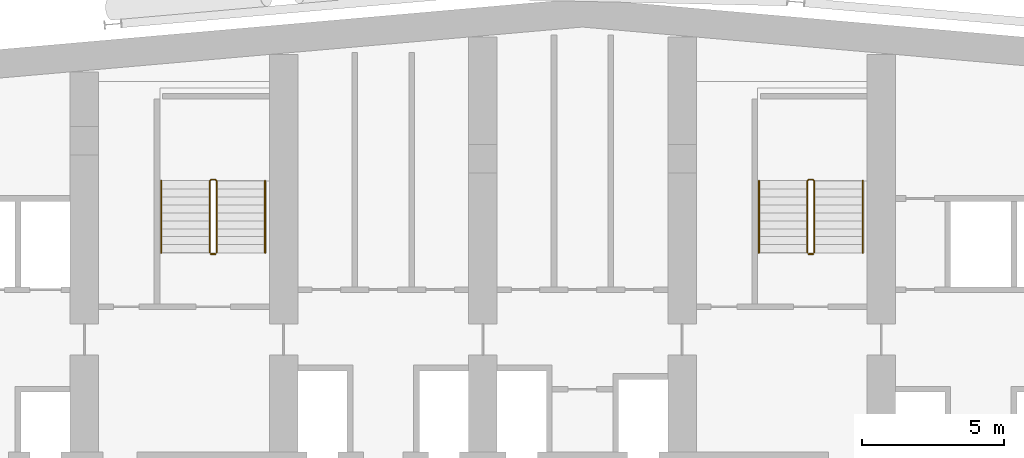
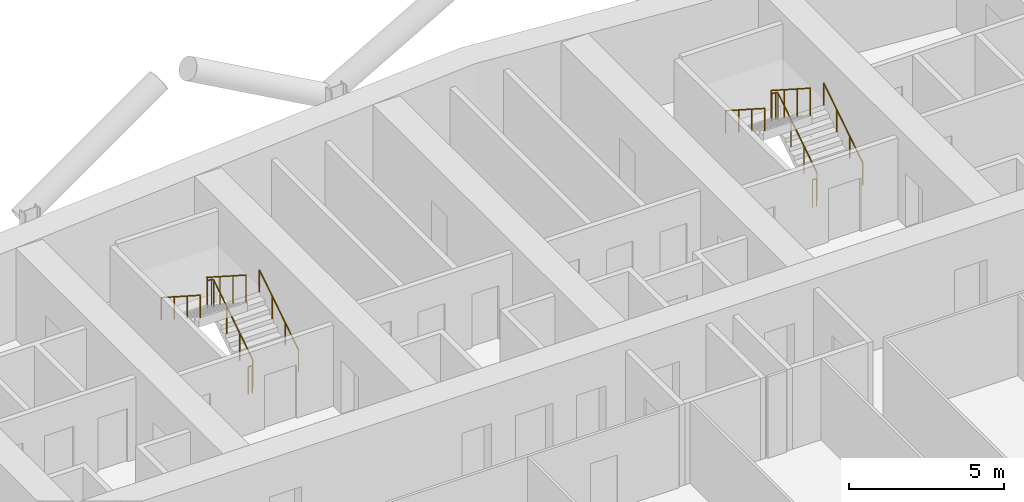
# One storey, part 24 of 25: 8 railings.
"""IFC4 building model written with IfcOpenShell, lengths in metres."""

from ifc_helpers import new_model, si_unit, direction, frame, origin, origin_2d, place, context, subcontext, project, spatial, circle, extrude, material, type_object, element, save


model = new_model("IFC4")

# Units and contexts
model_context = context("Model", 3, precision=1e-05, world=origin(), true_north=direction((0.0, 1.0)))
body_context = subcontext(model_context, "Body", "Model", "MODEL_VIEW")
ifc_project = project(units=[si_unit("LENGTHUNIT", "METRE"), si_unit("AREAUNIT", "SQUARE_METRE"), si_unit("VOLUMEUNIT", "CUBIC_METRE"), si_unit("PLANEANGLEUNIT", "RADIAN"), si_unit("MASSUNIT", "GRAM", prefix="KILO")], contexts=[model_context])

# Site, building, storey
site_placement = place(None, origin())
site = spatial("IfcSite", under=ifc_project, at=site_placement, CompositionType="ELEMENT")
building_placement = place(site_placement, origin())
building = spatial("IfcBuilding", under=site, at=building_placement, Name="Wharfspan Tower", CompositionType="ELEMENT")
storey_placement = place(building_placement, frame((0.0, 0.0, 129.100098)))
storey = spatial("IfcBuildingStorey", under=building, at=storey_placement, Name="L30", CompositionType="ELEMENT", Elevation=129.100098)

# Railings
ifc_material = material(Name="Steel S355J2", Category="steel")
railing_type_1 = type_object("IfcRailingType", Name="Stair guard 1100", PredefinedType="GUARDRAIL", material=ifc_material)
railing_1_placement = place(storey_placement, frame((27.649902, 42.0, 0.179932)))
element("IfcRailing", 1, at=railing_1_placement, inside=storey, type_object=railing_type_1, Name="L30 ST1 stair guard 1", PredefinedType="GUARDRAIL", context=body_context, shape_type="SweptSolid", body=[
    extrude(circle(Radius=0.023926, at=origin_2d()), frame((0.0, 0.0, 1.076172), z_axis=(0.0, 0.8412, 0.540725), x_axis=(-1.0, 0.0, 0.0)), (0.0, 0.0, 1.0), 2.99585),
    extrude(circle(Radius=0.023926, at=origin_2d()), frame((0.0, 2.52002, 2.695801), z_axis=(-0.705376, 0.708834, 0.0), x_axis=(-0.708834, -0.705376, 0.0)), (0.0, 0.0, 1.0), 0.070557),
    extrude(circle(Radius=0.023926, at=origin_2d()), frame((-0.049805, 2.570068, 2.695801), z_axis=(-1.0, 0.0, 0.0), x_axis=(0.0, -1.0, 0.0)), (0.0, 0.0, 1.0), 0.150146),
    extrude(circle(Radius=0.023926, at=origin_2d()), frame((-0.199951, 2.570068, 2.695801), z_axis=(-0.258544, -0.258544, 0.930758), x_axis=(0.707107, -0.707107, 0.0)), (0.0, 0.0, 1.0), 0.193604),
    extrude(circle(Radius=0.023926, at=origin_2d()), frame((-0.25, 2.52002, 2.875977), z_axis=(0.0, -0.8412, 0.540725), x_axis=(1.0, 0.0, 0.0)), (0.0, 0.0, 1.0), 2.99585),
    extrude(circle(Radius=0.020996, at=origin_2d()), origin(), (0.0, 0.0, 1.0), 1.052002),
    extrude(circle(Radius=0.020996, at=origin_2d()), frame((0.0, 0.840088, 0.540039)), (0.0, 0.0, 1.0), 1.052002),
    extrude(circle(Radius=0.020996, at=origin_2d()), frame((0.0, 1.679932, 1.079834)), (0.0, 0.0, 1.0), 1.052002),
    extrude(circle(Radius=0.020996, at=origin_2d()), frame((0.0, 2.52002, 1.619873)), (0.0, 0.0, 1.0), 1.052002),
    extrude(circle(Radius=0.020996, at=origin_2d()), frame((-0.049805, 2.570068, 1.619873)), (0.0, 0.0, 1.0), 1.052002),
    extrude(circle(Radius=0.020996, at=origin_2d()), frame((-0.199951, 2.570068, 1.619873)), (0.0, 0.0, 1.0), 1.052002),
    extrude(circle(Radius=0.020996, at=origin_2d()), frame((-0.25, 2.52002, 1.800049)), (0.0, 0.0, 1.0), 1.052002),
    extrude(circle(Radius=0.020996, at=origin_2d()), frame((-0.25, 1.679932, 2.340088)), (0.0, 0.0, 1.0), 1.052002),
    extrude(circle(Radius=0.020996, at=origin_2d()), frame((-0.25, 0.840088, 2.879883)), (0.0, 0.0, 1.0), 1.052002),
    extrude(circle(Radius=0.020996, at=origin_2d()), frame((-0.25, 0.0, 3.419922)), (0.0, 0.0, 1.0), 1.052002),
])
railing_2_placement = place(storey_placement, frame((27.600098, 41.949951, 0.0)))
element("IfcRailing", 2, at=railing_2_placement, inside=storey, type_object=railing_type_1, Name="L30 ST1 stair guard 2", PredefinedType="GUARDRAIL", context=body_context, shape_type="SweptSolid", body=[
    extrude(circle(Radius=0.023926, at=origin_2d()), frame((0.0, 0.0, 1.076172), z_axis=(-1.0, 0.0, 0.0), x_axis=(0.0, -1.0, 0.0)), (0.0, 0.0, 1.0), 0.150146),
    extrude(circle(Radius=0.020996, at=origin_2d()), origin(), (0.0, 0.0, 1.0), 1.052002),
    extrude(circle(Radius=0.020996, at=origin_2d()), frame((-0.150146, 0.0, 0.0)), (0.0, 0.0, 1.0), 1.052002),
])
railing_3_placement = place(storey_placement, frame((48.649902, 42.0, 0.179932)))
element("IfcRailing", 3, at=railing_3_placement, inside=storey, type_object=railing_type_1, Name="L30 ST2 stair guard 1", PredefinedType="GUARDRAIL", context=body_context, shape_type="SweptSolid", body=[
    extrude(circle(Radius=0.023926, at=origin_2d()), frame((0.0, 0.0, 1.076172), z_axis=(0.0, 0.8412, 0.540725), x_axis=(-1.0, 0.0, 0.0)), (0.0, 0.0, 1.0), 2.99585),
    extrude(circle(Radius=0.023926, at=origin_2d()), frame((0.0, 2.52002, 2.695801), z_axis=(-0.705376, 0.708834, 0.0), x_axis=(-0.708834, -0.705376, 0.0)), (0.0, 0.0, 1.0), 0.070557),
    extrude(circle(Radius=0.023926, at=origin_2d()), frame((-0.049805, 2.570068, 2.695801), z_axis=(-1.0, 0.0, 0.0), x_axis=(0.0, -1.0, 0.0)), (0.0, 0.0, 1.0), 0.150146),
    extrude(circle(Radius=0.023926, at=origin_2d()), frame((-0.199951, 2.570068, 2.695801), z_axis=(-0.258544, -0.258544, 0.930758), x_axis=(0.707107, -0.707107, 0.0)), (0.0, 0.0, 1.0), 0.193604),
    extrude(circle(Radius=0.023926, at=origin_2d()), frame((-0.25, 2.52002, 2.875977), z_axis=(0.0, -0.8412, 0.540725), x_axis=(1.0, 0.0, 0.0)), (0.0, 0.0, 1.0), 2.99585),
    extrude(circle(Radius=0.020996, at=origin_2d()), origin(), (0.0, 0.0, 1.0), 1.052002),
    extrude(circle(Radius=0.020996, at=origin_2d()), frame((0.0, 0.840088, 0.540039)), (0.0, 0.0, 1.0), 1.052002),
    extrude(circle(Radius=0.020996, at=origin_2d()), frame((0.0, 1.679932, 1.079834)), (0.0, 0.0, 1.0), 1.052002),
    extrude(circle(Radius=0.020996, at=origin_2d()), frame((0.0, 2.52002, 1.619873)), (0.0, 0.0, 1.0), 1.052002),
    extrude(circle(Radius=0.020996, at=origin_2d()), frame((-0.049805, 2.570068, 1.619873)), (0.0, 0.0, 1.0), 1.052002),
    extrude(circle(Radius=0.020996, at=origin_2d()), frame((-0.199951, 2.570068, 1.619873)), (0.0, 0.0, 1.0), 1.052002),
    extrude(circle(Radius=0.020996, at=origin_2d()), frame((-0.25, 2.52002, 1.800049)), (0.0, 0.0, 1.0), 1.052002),
    extrude(circle(Radius=0.020996, at=origin_2d()), frame((-0.25, 1.679932, 2.340088)), (0.0, 0.0, 1.0), 1.052002),
    extrude(circle(Radius=0.020996, at=origin_2d()), frame((-0.25, 0.840088, 2.879883)), (0.0, 0.0, 1.0), 1.052002),
    extrude(circle(Radius=0.020996, at=origin_2d()), frame((-0.25, 0.0, 3.419922)), (0.0, 0.0, 1.0), 1.052002),
])
railing_4_placement = place(storey_placement, frame((48.600098, 41.949951, 0.0)))
element("IfcRailing", 4, at=railing_4_placement, inside=storey, type_object=railing_type_1, Name="L30 ST2 stair guard 2", PredefinedType="GUARDRAIL", context=body_context, shape_type="SweptSolid", body=[
    extrude(circle(Radius=0.023926, at=origin_2d()), frame((0.0, 0.0, 1.076172), z_axis=(-1.0, 0.0, 0.0), x_axis=(0.0, -1.0, 0.0)), (0.0, 0.0, 1.0), 0.150146),
    extrude(circle(Radius=0.020996, at=origin_2d()), origin(), (0.0, 0.0, 1.0), 1.052002),
    extrude(circle(Radius=0.020996, at=origin_2d()), frame((-0.150146, 0.0, 0.0)), (0.0, 0.0, 1.0), 1.052002),
])
railing_type_2 = type_object("IfcRailingType", Name="Stair handrail 900", PredefinedType="HANDRAIL", material=ifc_material)
railing_5_placement = place(storey_placement, frame((29.350098, 42.0, 0.179932)))
element("IfcRailing", 5, at=railing_5_placement, inside=storey, type_object=railing_type_2, Name="L30 ST1 stair handrail 1", PredefinedType="HANDRAIL", context=body_context, shape_type="SweptSolid", body=[
    extrude(circle(Radius=0.023926, at=origin_2d()), frame((0.0, 0.0, 0.875977), z_axis=(0.0, 0.8412, 0.540725), x_axis=(-1.0, 0.0, 0.0)), (0.0, 0.0, 1.0), 2.99585),
    extrude(circle(Radius=0.020996, at=origin_2d()), origin(), (0.0, 0.0, 1.0), 0.851807),
    extrude(circle(Radius=0.020996, at=origin_2d()), frame((0.0, 0.840088, 0.540039)), (0.0, 0.0, 1.0), 0.851807),
    extrude(circle(Radius=0.020996, at=origin_2d()), frame((0.0, 1.679932, 1.079834)), (0.0, 0.0, 1.0), 0.851807),
    extrude(circle(Radius=0.020996, at=origin_2d()), frame((0.0, 2.52002, 1.619873)), (0.0, 0.0, 1.0), 0.851807),
])
railing_6_placement = place(storey_placement, frame((25.699951, 44.52002, 1.97998)))
element("IfcRailing", 6, at=railing_6_placement, inside=storey, type_object=railing_type_2, Name="L30 ST1 stair handrail 2", PredefinedType="HANDRAIL", context=body_context, shape_type="SweptSolid", body=[
    extrude(circle(Radius=0.023926, at=origin_2d()), frame((0.0, 0.0, 0.875977), z_axis=(0.0, -0.8412, 0.540725), x_axis=(1.0, 0.0, 0.0)), (0.0, 0.0, 1.0), 2.99585),
    extrude(circle(Radius=0.020996, at=origin_2d()), origin(), (0.0, 0.0, 1.0), 0.851807),
    extrude(circle(Radius=0.020996, at=origin_2d()), frame((0.0, -0.840088, 0.540039)), (0.0, 0.0, 1.0), 0.851807),
    extrude(circle(Radius=0.020996, at=origin_2d()), frame((0.0, -1.679932, 1.079834)), (0.0, 0.0, 1.0), 0.851807),
    extrude(circle(Radius=0.020996, at=origin_2d()), frame((0.0, -2.52002, 1.619873)), (0.0, 0.0, 1.0), 0.851807),
])
railing_7_placement = place(storey_placement, frame((50.350098, 42.0, 0.179932)))
element("IfcRailing", 7, at=railing_7_placement, inside=storey, type_object=railing_type_2, Name="L30 ST2 stair handrail 1", PredefinedType="HANDRAIL", context=body_context, shape_type="SweptSolid", body=[
    extrude(circle(Radius=0.023926, at=origin_2d()), frame((0.0, 0.0, 0.875977), z_axis=(0.0, 0.8412, 0.540725), x_axis=(-1.0, 0.0, 0.0)), (0.0, 0.0, 1.0), 2.99585),
    extrude(circle(Radius=0.020996, at=origin_2d()), origin(), (0.0, 0.0, 1.0), 0.851807),
    extrude(circle(Radius=0.020996, at=origin_2d()), frame((0.0, 0.840088, 0.540039)), (0.0, 0.0, 1.0), 0.851807),
    extrude(circle(Radius=0.020996, at=origin_2d()), frame((0.0, 1.679932, 1.079834)), (0.0, 0.0, 1.0), 0.851807),
    extrude(circle(Radius=0.020996, at=origin_2d()), frame((0.0, 2.52002, 1.619873)), (0.0, 0.0, 1.0), 0.851807),
])
railing_8_placement = place(storey_placement, frame((46.699951, 44.52002, 1.97998)))
element("IfcRailing", 8, at=railing_8_placement, inside=storey, type_object=railing_type_2, Name="L30 ST2 stair handrail 2", PredefinedType="HANDRAIL", context=body_context, shape_type="SweptSolid", body=[
    extrude(circle(Radius=0.023926, at=origin_2d()), frame((0.0, 0.0, 0.875977), z_axis=(0.0, -0.8412, 0.540725), x_axis=(1.0, 0.0, 0.0)), (0.0, 0.0, 1.0), 2.99585),
    extrude(circle(Radius=0.020996, at=origin_2d()), origin(), (0.0, 0.0, 1.0), 0.851807),
    extrude(circle(Radius=0.020996, at=origin_2d()), frame((0.0, -0.840088, 0.540039)), (0.0, 0.0, 1.0), 0.851807),
    extrude(circle(Radius=0.020996, at=origin_2d()), frame((0.0, -1.679932, 1.079834)), (0.0, 0.0, 1.0), 0.851807),
    extrude(circle(Radius=0.020996, at=origin_2d()), frame((0.0, -2.52002, 1.619873)), (0.0, 0.0, 1.0), 0.851807),
])

save(model, "model.ifc")
